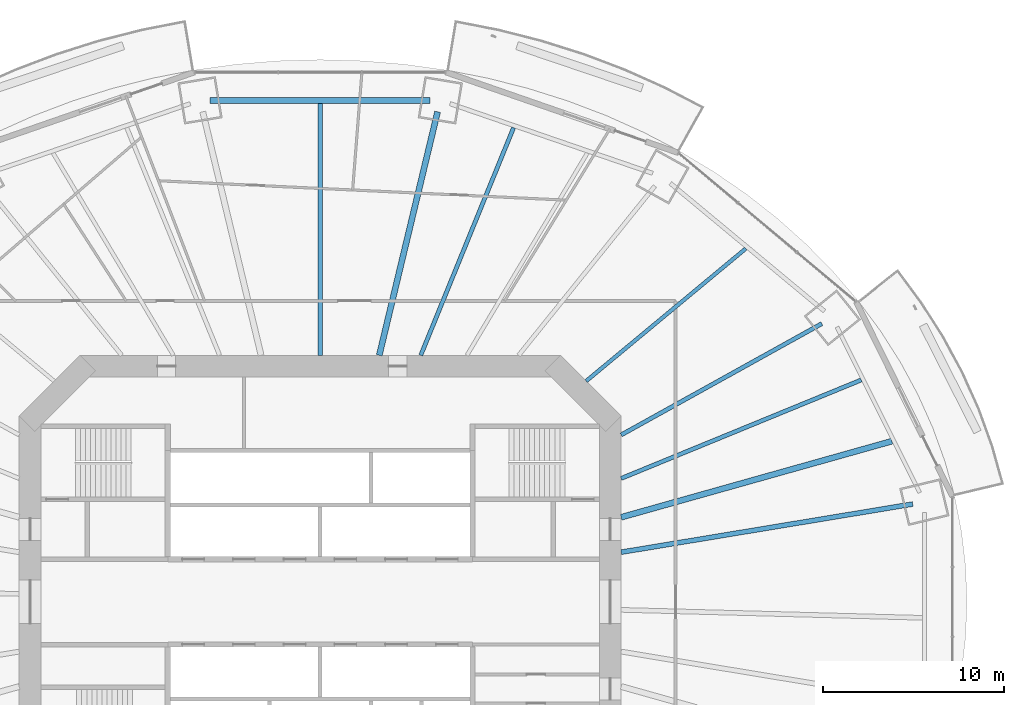
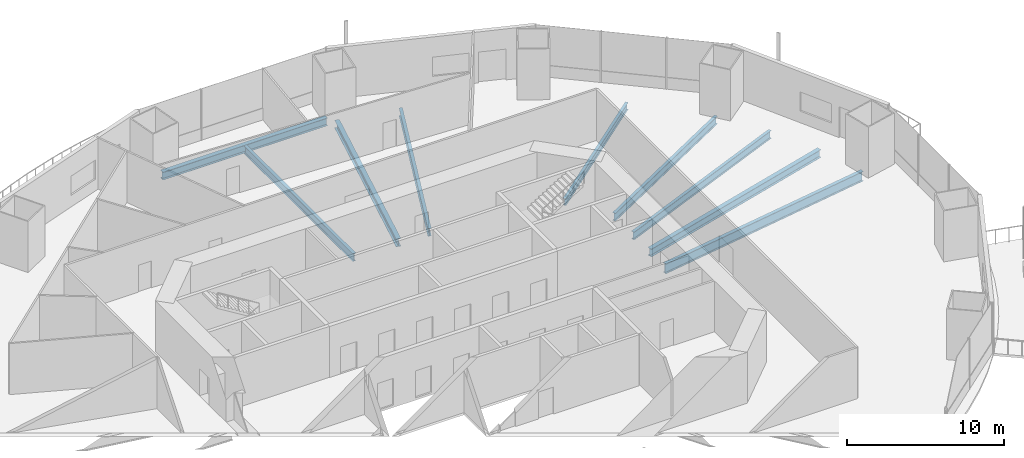
# One storey, part 8 of 22: 9 beams.
"""IFC4 building model written with IfcOpenShell, lengths in metres."""

import ifcopenshell
import ifcopenshell.guid

model = None  # the IFC model being written
_history = None  # IfcOwnerHistory: only IFC2X3 demands one
_inside = {}  # id of a spatial element -> (the spatial element, [elements in it])
_under = {}  # id of a project, library or spatial element -> (it, [spatial elements below it])
_declared = {}  # id of a project -> (the project, [libraries it declares])
_typed = {}  # id of a type object -> (the type object, [elements of that type])
_made_of = {}  # id of a material, layer set ... -> (it, [elements and type objects made of it])


def new_model(schema):
    """Start an empty IFC model of exactly this schema.

    Asked for "IFC4X3", IfcOpenShell would pick the latest addendum, in which some entities
    have other attributes; the version numbers below select the first issue.
    IFC2X3 requires an IfcOwnerHistory on every rooted entity: one is made here for all.
    """
    global model, _history
    if schema == "IFC4X3":
        model = ifcopenshell.file(schema_version=(4, 3, 0, 0))
    else:
        model = ifcopenshell.file(schema=schema)
    _inside.clear()
    _under.clear()
    _declared.clear()
    _typed.clear()
    _made_of.clear()
    _history = None
    if model.schema == "IFC2X3":
        org = make("IfcOrganization", Name="unknown")
        user = make(
            "IfcPersonAndOrganization",
            ThePerson=make("IfcPerson", FamilyName="unknown"),
            TheOrganization=org,
        )
        app = make(
            "IfcApplication",
            ApplicationDeveloper=org,
            Version="unknown",
            ApplicationFullName="unknown",
            ApplicationIdentifier="unknown",
        )
        _history = make(
            "IfcOwnerHistory",
            OwningUser=user,
            OwningApplication=app,
            ChangeAction="ADDED",
            CreationDate=0,
        )
    return model


def make(cls, **values):
    """One entity of the class cls with the attributes given. An attribute that is None is left unset."""
    return model.create_entity(
        cls, **{name: value for name, value in values.items() if value is not None}
    )


def rooted(cls, **values):
    """An entity with a GlobalId (a new one), such as an element, a storey or a relation."""
    return make(cls, GlobalId=ifcopenshell.guid.new(), OwnerHistory=_history, **values)


def si_unit(unit_type, name, prefix=None):
    """IfcSIUnit, for example si_unit("LENGTHUNIT", "METRE", prefix="MILLI")."""
    return make("IfcSIUnit", UnitType=unit_type, Prefix=prefix, Name=name)


def assignment(units):
    """IfcUnitAssignment: the units of a project."""
    return None if units is None else make("IfcUnitAssignment", Units=units)


def point(xyz):
    """IfcCartesianPoint."""
    return None if xyz is None else make("IfcCartesianPoint", Coordinates=xyz)


def direction(xyz):
    """IfcDirection."""
    return None if xyz is None else make("IfcDirection", DirectionRatios=xyz)


def frame(location, z_axis=None, x_axis=None):
    """IfcAxis2Placement3D, a coordinate frame: its origin and axes. An axis left out is left unset."""
    return make(
        "IfcAxis2Placement3D",
        Location=point(location),
        Axis=direction(z_axis),
        RefDirection=direction(x_axis),
    )


def frame_2d(location, x_axis=None):
    """IfcAxis2Placement2D, a coordinate frame in the plane: its origin and x axis."""
    return make(
        "IfcAxis2Placement2D", Location=point(location), RefDirection=direction(x_axis)
    )


def origin():
    """The frame at (0, 0, 0) with its axes left unset."""
    return frame((0.0, 0.0, 0.0))


def origin_2d():
    """The frame at (0, 0) in the plane with its x axis left unset."""
    return frame_2d((0.0, 0.0))


def place(relative_to, where):
    """IfcLocalPlacement: puts the frame where relative to a parent placement (None: the world)."""
    return make(
        "IfcLocalPlacement", PlacementRelTo=relative_to, RelativePlacement=where
    )


def context(
    kind, dimensions, precision=None, world=None, true_north=None, identifier=None
):
    """IfcGeometricRepresentationContext, for example the 3D "Model" context."""
    return make(
        "IfcGeometricRepresentationContext",
        ContextIdentifier=identifier,
        ContextType=kind,
        CoordinateSpaceDimension=dimensions,
        Precision=precision,
        WorldCoordinateSystem=world,
        TrueNorth=true_north,
    )


def subcontext(parent, identifier, kind, view, scale=None):
    """IfcGeometricRepresentationSubContext, for example "Body" below "Model"."""
    return make(
        "IfcGeometricRepresentationSubContext",
        ContextIdentifier=identifier,
        ContextType=kind,
        ParentContext=parent,
        TargetScale=scale,
        TargetView=view,
    )


def project(units=None, contexts=None):
    """IfcProject with its units and contexts."""
    return rooted(
        "IfcProject",
        Name="project",
        RepresentationContexts=contexts,
        UnitsInContext=assignment(units),
    )


def spatial(cls, under=None, at=None, **own):
    """A site, building, storey or space (cls), placed at a placement, below another one or the project."""
    s = rooted(cls, ObjectPlacement=at, **own)
    if under is not None:
        _under.setdefault(under.id(), (under, []))[1].append(s)
    return s


def profile(cls, at=None, kind="AREA", **sizes):
    """A parametric profile (cls). Its sizes go by their IFC names, for example OverallWidth=200.0."""
    return make(cls, ProfileType=kind, Position=at, **sizes)


def i_section(**sizes):
    """IfcIShapeProfileDef."""
    return profile("IfcIShapeProfileDef", **sizes)


def extrude(swept, where, along, depth):
    """IfcExtrudedAreaSolid: the profile swept, set in the frame where, extruded along a direction by depth."""
    return make(
        "IfcExtrudedAreaSolid",
        SweptArea=swept,
        Position=where,
        ExtrudedDirection=direction(along),
        Depth=depth,
    )


def shape(context_of_items, identifier, shape_type, items):
    """IfcShapeRepresentation: the items that make up one representation, for example the "Body"."""
    return make(
        "IfcShapeRepresentation",
        ContextOfItems=context_of_items,
        RepresentationIdentifier=identifier,
        RepresentationType=shape_type,
        Items=items,
    )


def material(Name=None, Category=None):
    """IfcMaterial."""
    return make("IfcMaterial", Name=Name, Category=Category)


def material_profile(
    of_material, cross_section, Name=None, Category=None, Priority=None
):
    """IfcMaterialProfile: a cross section and its material."""
    return make(
        "IfcMaterialProfile",
        Name=Name,
        Material=of_material,
        Profile=cross_section,
        Priority=Priority,
        Category=Category,
    )


def profile_set(profiles, Name=None, composite=None):
    """IfcMaterialProfileSet."""
    return make(
        "IfcMaterialProfileSet",
        Name=Name,
        MaterialProfiles=profiles,
        CompositeProfile=composite,
    )


def made_of(thing, what):
    """Note that an element or type object is made of a material, layer set ...; save() writes the relation."""
    if what is not None:
        _made_of.setdefault(what.id(), (what, []))[1].append(thing)
    return thing


def type_object(cls, material=None, **own):
    """A type object (cls), such as IfcWallType, which elements share."""
    return made_of(rooted(cls, **own), material)


def element(
    cls,
    number,
    at=None,
    inside=None,
    cuts=None,
    type_object=None,
    material=None,
    context=None,
    identifier="Body",
    shape_type=None,
    held_by="IfcProductDefinitionShape",
    body=None,
    shapes=None,
    **own,
):
    """One element of the class cls, such as IfcWall. Its Tag is "e" and its number.

    at: its placement. inside: the storey or other place that contains it. cuts: it is an
    opening in that element (IfcRelVoidsElement). A single representation is given by context,
    identifier, shape_type and body (its items); several are given by shapes. held_by: the class
    of the entity that holds the representations. save() writes the other relations.
    """
    e = rooted(cls, Tag="e%d" % number, ObjectPlacement=at, **own)
    if body is not None:
        shapes = [shape(context, identifier, shape_type, body)]
    if shapes is not None:
        e.Representation = make(held_by, Representations=shapes)
    if inside is not None:
        _inside.setdefault(inside.id(), (inside, []))[1].append(e)
    if cuts is not None:
        rooted(
            "IfcRelVoidsElement", RelatingBuildingElement=cuts, RelatedOpeningElement=e
        )
    if type_object is not None:
        _typed.setdefault(type_object.id(), (type_object, []))[1].append(e)
    return made_of(e, material)


def aggregate(whole, parts):
    """IfcRelAggregates: a whole, such as a stair, and the parts it consists of."""
    return rooted("IfcRelAggregates", RelatingObject=whole, RelatedObjects=parts)


def save(model, path):
    """Write the relations noted so far, then the file.

    IfcRelAggregates (storeys below a building ...), IfcRelContainedInSpatialStructure (elements
    in a storey), IfcRelDefinesByType, IfcRelAssociatesMaterial and IfcRelDeclares: one each for
    every whole, place, type object, material and project.
    """
    for whole, parts in _under.values():
        aggregate(whole, parts)
    for where, things in _inside.values():
        rooted(
            "IfcRelContainedInSpatialStructure",
            RelatedElements=things,
            RelatingStructure=where,
        )
    for kind, things in _typed.values():
        rooted("IfcRelDefinesByType", RelatedObjects=things, RelatingType=kind)
    for what, things in _made_of.values():
        rooted("IfcRelAssociatesMaterial", RelatedObjects=things, RelatingMaterial=what)
    for by, libraries in _declared.values():
        rooted("IfcRelDeclares", RelatingContext=by, RelatedDefinitions=libraries)
    model.write(path)


model = new_model("IFC4")

# Units and contexts
model_context = context("Model", 3, precision=1e-05, world=origin(), true_north=direction((0.0, 1.0)))
body_context = subcontext(model_context, "Body", "Model", "MODEL_VIEW")
ifc_project = project(units=[si_unit("LENGTHUNIT", "METRE"), si_unit("AREAUNIT", "SQUARE_METRE"), si_unit("VOLUMEUNIT", "CUBIC_METRE"), si_unit("PLANEANGLEUNIT", "RADIAN"), si_unit("MASSUNIT", "GRAM", prefix="KILO")], contexts=[model_context])

# Site, building, storey
site_placement = place(None, origin())
site = spatial("IfcSite", under=ifc_project, at=site_placement, CompositionType="ELEMENT")
building_placement = place(site_placement, origin())
building = spatial("IfcBuilding", under=site, at=building_placement, Name="Marenthal Gate Tower", CompositionType="ELEMENT")
storey_placement = place(building_placement, frame((0.0, 0.0, 70.35009765625)))
storey = spatial("IfcBuildingStorey", under=building, at=storey_placement, Name="L13", CompositionType="ELEMENT", Elevation=70.35009765625)

# Beams
ifc_material_1 = material(Name="Steel S355", Category="steel")
ifc_material_profile_1 = material_profile(ifc_material_1, i_section(OverallWidth=0.2099609375, OverallDepth=0.535888671875, WebThickness=0.010986328125, FlangeThickness=0.017333984375, FilletRadius=0.0126953125, at=origin_2d()), Name="W530X101")
ifc_profile_set_1 = profile_set([ifc_material_profile_1], Name="Steel S355")
beam_type_1 = type_object("IfcBeamType", Name="W530X101 beam", PredefinedType="BEAM", material=ifc_profile_set_1)
beam_1_placement = place(storey_placement, frame((23.47119140625, 19.485595703125, -0.447998046875), z_axis=(-0.769402561639, -0.638764196041, 0.0), x_axis=(0.638764196041, -0.769402561639, 0.0)))
element("IfcBeam", 1, at=beam_1_placement, inside=storey, type_object=beam_type_1, Name="BM-L13-19", PredefinedType="BEAM", context=body_context, shape_type="SweptSolid", body=[
    extrude(i_section(OverallWidth=0.2099609375, OverallDepth=0.535888671875, WebThickness=0.010986328125, FlangeThickness=0.017333984375, FilletRadius=0.0126953125, at=origin_2d()), origin(), (0.0, 0.0, 1.0), 11.439208984375),
])
ifc_material_2 = material(Name="Steel S355", Category="steel")
ifc_material_profile_2 = material_profile(ifc_material_2, i_section(OverallWidth=0.22900390625, OverallDepth=0.612060546875, WebThickness=0.011962890625, FlangeThickness=0.01953125, FilletRadius=0.0126953125, at=origin_2d()), Name="W610X125")
ifc_profile_set_2 = profile_set([ifc_material_profile_2], Name="Steel S355")
beam_type_2 = type_object("IfcBeamType", Name="W610X125 beam", PredefinedType="BEAM", material=ifc_profile_set_2)
beam_2_placement = place(storey_placement, frame((27.6640625, 15.345703125, -0.486083984375), z_axis=(-0.874465657006, -0.485087429972, 0.0), x_axis=(0.485087429972, -0.874465657006, 0.0)))
element("IfcBeam", 2, at=beam_2_placement, inside=storey, type_object=beam_type_2, Name="BM-L13-02", PredefinedType="BEAM", context=body_context, shape_type="SweptSolid", body=[
    extrude(i_section(OverallWidth=0.22900390625, OverallDepth=0.612060546875, WebThickness=0.011962890625, FlangeThickness=0.01953125, FilletRadius=0.0126953125, at=origin_2d()), origin(), (0.0, 0.0, 1.0), 12.65234375),
])
beam_3_placement = place(storey_placement, frame((29.840087890625, 12.239990234375, -0.486083984375), z_axis=(-0.925190275705, -0.379503562225, 0.0), x_axis=(0.379503562225, -0.925190275705, 0.0)))
element("IfcBeam", 3, at=beam_3_placement, inside=storey, type_object=beam_type_2, Name="BM-L13-18", PredefinedType="BEAM", context=body_context, shape_type="SweptSolid", body=[
    extrude(i_section(OverallWidth=0.22900390625, OverallDepth=0.612060546875, WebThickness=0.011962890625, FlangeThickness=0.01953125, FilletRadius=0.0126953125, at=origin_2d()), origin(), (0.0, 0.0, 1.0), 14.310546875),
])
beam_4_placement = place(storey_placement, frame((10.666748046875, 26.152099609375, -0.486083984375), z_axis=(-0.377666991807, -0.925941490214, 0.0), x_axis=(0.925941490214, -0.377666991807, 0.0)))
element("IfcBeam", 4, at=beam_4_placement, inside=storey, type_object=beam_type_2, Name="BM-L13-21", PredefinedType="BEAM", context=body_context, shape_type="SweptSolid", body=[
    extrude(i_section(OverallWidth=0.22900390625, OverallDepth=0.612060546875, WebThickness=0.011962890625, FlangeThickness=0.01953125, FilletRadius=0.0126953125, at=origin_2d()), origin(), (0.0, 0.0, 1.0), 13.555908203125),
])
beam_5_placement = place(storey_placement, frame((0.0, 27.49951171875, -0.486083984375), z_axis=(0.0, -1.0, 0.0), x_axis=(1.0, 0.0, 0.0)))
element("IfcBeam", 5, at=beam_5_placement, inside=storey, type_object=beam_type_2, Name="BM-L13-22", PredefinedType="BEAM", context=body_context, shape_type="SweptSolid", body=[
    extrude(i_section(OverallWidth=0.22900390625, OverallDepth=0.612060546875, WebThickness=0.011962890625, FlangeThickness=0.01953125, FilletRadius=0.0126953125, at=origin_2d()), origin(), (0.0, 0.0, 1.0), 13.8994140625),
])
ifc_material_3 = material(Name="Steel S355", Category="steel")
ifc_material_profile_3 = material_profile(ifc_material_3, i_section(OverallWidth=0.324951171875, OverallDepth=0.612060546875, WebThickness=0.0126953125, FlangeThickness=0.01904296875, FilletRadius=0.0126953125, at=origin_2d()), Name="W610X155")
ifc_profile_set_3 = profile_set([ifc_material_profile_3], Name="Steel S355")
beam_type_3 = type_object("IfcBeamType", Name="W610X155 beam", PredefinedType="BEAM", material=ifc_profile_set_3)
beam_6_placement = place(storey_placement, frame((6.4755859375, 27.027099609375, -0.486083984375), z_axis=(-0.233000428797, -0.972476632203, 0.0), x_axis=(0.972476632203, -0.233000428797, 0.0)))
element("IfcBeam", 6, at=beam_6_placement, inside=storey, type_object=beam_type_3, Name="BM-L13-04", PredefinedType="BEAM", context=body_context, shape_type="SweptSolid", body=[
    extrude(i_section(OverallWidth=0.324951171875, OverallDepth=0.612060546875, WebThickness=0.0126953125, FlangeThickness=0.01904296875, FilletRadius=0.0126953125, at=origin_2d()), origin(), (0.0, 0.0, 1.0), 13.80712890625),
])
beam_7_placement = place(storey_placement, frame((31.525390625, 8.862060546875, -0.486083984375), z_axis=(-0.962687612966, -0.270615150797, 0.0), x_axis=(0.270615150797, -0.962687612966, 0.0)))
element("IfcBeam", 7, at=beam_7_placement, inside=storey, type_object=beam_type_3, Name="BM-L13-17", PredefinedType="BEAM", context=body_context, shape_type="SweptSolid", body=[
    extrude(i_section(OverallWidth=0.324951171875, OverallDepth=0.612060546875, WebThickness=0.0126953125, FlangeThickness=0.01904296875, FilletRadius=0.0126953125, at=origin_2d()), origin(), (0.0, 0.0, 1.0), 15.503662109375),
])
beam_8_placement = place(storey_placement, frame((6.063720703125, 27.662109375, -0.486083984375), z_axis=(-1.0, 0.0, 0.0), x_axis=(0.0, -1.0, 0.0)))
element("IfcBeam", 8, at=beam_8_placement, inside=storey, type_object=beam_type_3, Name="BM-L13-44", PredefinedType="BEAM", context=body_context, shape_type="SweptSolid", body=[
    extrude(i_section(OverallWidth=0.324951171875, OverallDepth=0.612060546875, WebThickness=0.0126953125, FlangeThickness=0.01904296875, FilletRadius=0.0126953125, at=origin_2d()), origin(), (0.0, 0.0, 1.0), 12.12744140625),
])
ifc_material_4 = material(Name="Steel S355", Category="steel")
ifc_material_profile_4 = material_profile(ifc_material_4, i_section(OverallWidth=0.26708984375, OverallDepth=0.761962890625, WebThickness=0.014404296875, FlangeThickness=0.021484375, FilletRadius=0.0166015625, at=origin_2d()), Name="W760X173")
ifc_profile_set_4 = profile_set([ifc_material_profile_4], Name="Steel S355")
beam_type_4 = type_object("IfcBeamType", Name="W760X173 beam", PredefinedType="BEAM", material=ifc_profile_set_4)
beam_9_placement = place(storey_placement, frame((32.676025390625, 5.39599609375, -0.56103515625), z_axis=(-0.986637030798, -0.162933635137, 0.0), x_axis=(0.162933635137, -0.986637030798, 0.0)))
element("IfcBeam", 9, at=beam_9_placement, inside=storey, type_object=beam_type_4, Name="BM-L13-01", PredefinedType="BEAM", context=body_context, shape_type="SweptSolid", body=[
    extrude(i_section(OverallWidth=0.26708984375, OverallDepth=0.761962890625, WebThickness=0.014404296875, FlangeThickness=0.021484375, FilletRadius=0.0166015625, at=origin_2d()), origin(), (0.0, 0.0, 1.0), 16.293701171875),
])

save(model, "model.ifc")
